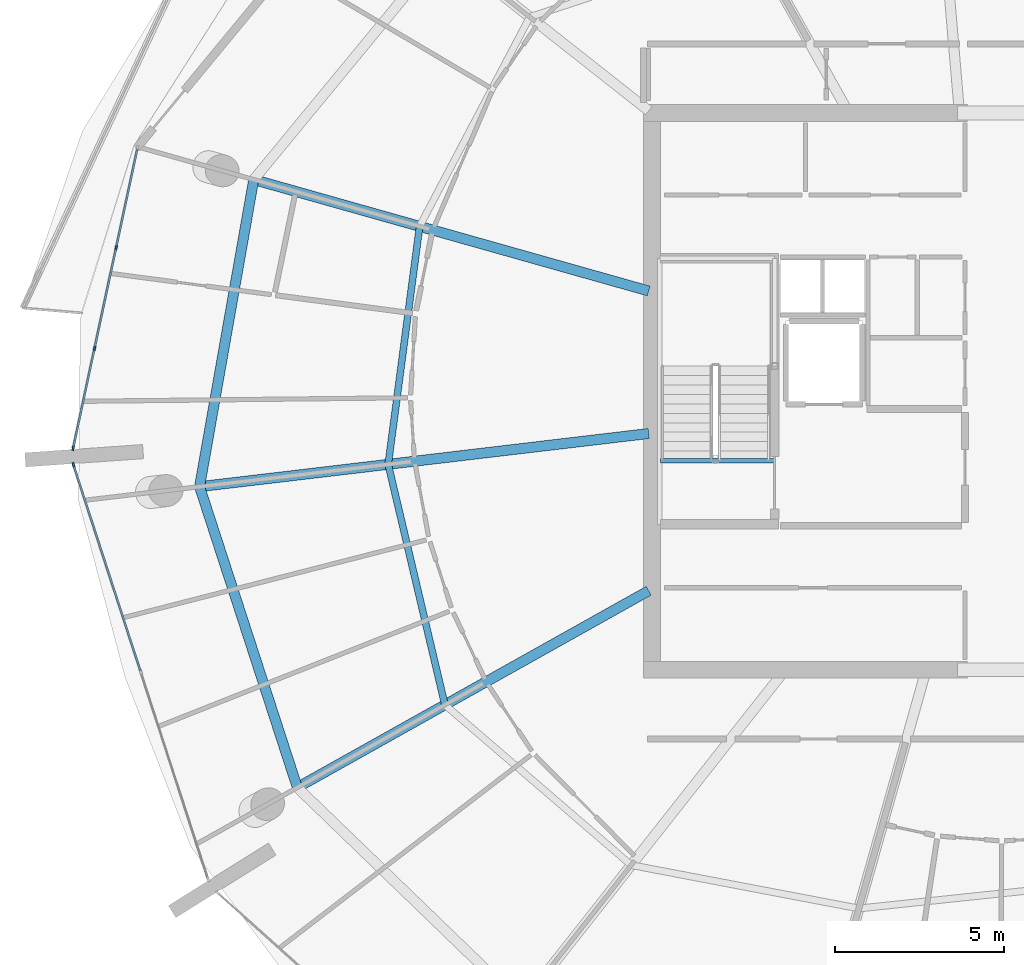
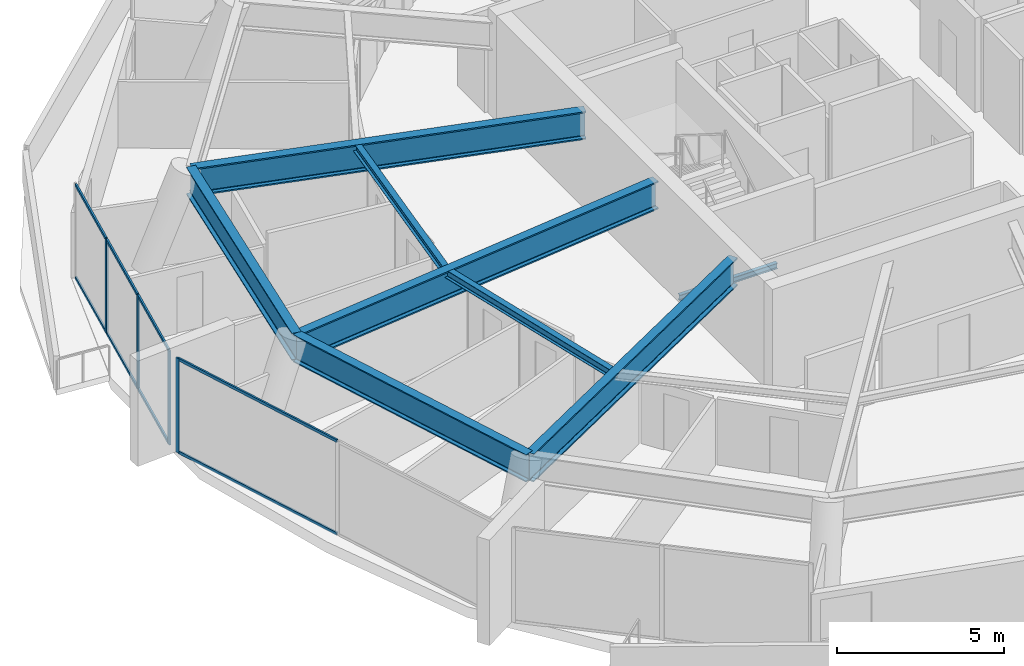
# One storey, part 6 of 24: 12 members, 8 beams, 2 elements without a shape of their own.
"""IFC4 building model written with IfcOpenShell, lengths in metres."""

from ifc_helpers import new_model, si_unit, direction, frame, origin, origin_2d, place, context, subcontext, project, spatial, rectangle, i_section, extrude, material, layer, layer_set, material_profile, profile_set, type_object, element, aggregate, save


model = new_model("IFC4")

# Units and contexts
model_context = context("Model", 3, precision=1e-05, world=origin(), true_north=direction((0.0, 1.0)))
body_context = subcontext(model_context, "Body", "Model", "MODEL_VIEW")
ifc_project = project(units=[si_unit("LENGTHUNIT", "METRE"), si_unit("AREAUNIT", "SQUARE_METRE"), si_unit("VOLUMEUNIT", "CUBIC_METRE"), si_unit("PLANEANGLEUNIT", "RADIAN"), si_unit("MASSUNIT", "GRAM", prefix="KILO")], contexts=[model_context])

# Site, building, storey
site_placement = place(None, origin())
site = spatial("IfcSite", under=ifc_project, at=site_placement, CompositionType="ELEMENT")
building_placement = place(site_placement, origin())
building = spatial("IfcBuilding", under=site, at=building_placement, Name="Kazma Halo Residences", CompositionType="ELEMENT")
storey_placement = place(building_placement, frame((0.0, 0.0, 309.85009765625)))
storey = spatial("IfcBuildingStorey", under=building, at=storey_placement, Name="L78", CompositionType="ELEMENT", Elevation=309.85009765625)

# Beams
ifc_material_1 = material(Name="Steel S355", Category="steel")
ifc_material_profile_1 = material_profile(ifc_material_1, i_section(OverallWidth=0.202880859375, OverallDepth=0.302978515625, WebThickness=0.007568359375, FlangeThickness=0.01318359375, FilletRadius=0.013916015625, at=origin_2d()), Name="W310x60")
ifc_profile_set_1 = profile_set([ifc_material_profile_1], Name="Steel S355")
beam_type_1 = type_object("IfcBeamType", Name="BM-SEC-W310A", PredefinedType="JOIST", material=ifc_profile_set_1)
beam_1_placement = place(storey_placement, frame((30.660888671875, 46.89013671875, 3.29833984375), z_axis=(-0.130861995554, -0.991400594169, 0.0), x_axis=(0.991400594169, -0.130861995554, 0.0)))
element("IfcBeam", 1, at=beam_1_placement, inside=storey, type_object=beam_type_1, Name="L78 circumferential floor joist 07", PredefinedType="JOIST", context=body_context, shape_type="SweptSolid", body=[
    extrude(i_section(OverallWidth=0.202880859375, OverallDepth=0.302978515625, WebThickness=0.007568359375, FlangeThickness=0.01318359375, FilletRadius=0.013916015625, at=origin_2d()), origin(), (0.0, 0.0, 1.0), 7.11376953125),
])
beam_2_placement = place(storey_placement, frame((29.72998046875, 39.837646484375, 3.29833984375), z_axis=(0.229446221817, -0.973321340203, 0.0), x_axis=(0.973321340203, 0.229446221817, 0.0)))
element("IfcBeam", 2, at=beam_2_placement, inside=storey, type_object=beam_type_1, Name="L78 circumferential floor joist 08", PredefinedType="JOIST", context=body_context, shape_type="SweptSolid", body=[
    extrude(i_section(OverallWidth=0.202880859375, OverallDepth=0.302978515625, WebThickness=0.007568359375, FlangeThickness=0.01318359375, FilletRadius=0.013916015625, at=origin_2d()), origin(), (0.0, 0.0, 1.0), 7.32373046875),
])
ifc_material_profile_2 = material_profile(ifc_material_1, i_section(OverallWidth=0.302001953125, OverallDepth=1.01806640625, WebThickness=0.021484375, FlangeThickness=0.049072265625, FilletRadius=0.028076171875, at=origin_2d()), Name="W1000x443")
ifc_profile_set_2 = profile_set([ifc_material_profile_2], Name="Steel S355")
beam_type_2 = type_object("IfcBeamType", Name="BM-TRANS-W1000A", PredefinedType="BEAM", material=ifc_profile_set_2)
beam_3_placement = place(storey_placement, frame((37.449951171875, 44.975341796875, 2.94091796875), z_axis=(-0.962456130612, 0.2714372794, 0.0), x_axis=(-0.2714372794, -0.962456130612, 0.0)))
element("IfcBeam", 3, at=beam_3_placement, inside=storey, type_object=beam_type_2, Name="L78 podium radial transfer girder 07", PredefinedType="BEAM", context=body_context, shape_type="SweptSolid", body=[
    extrude(i_section(OverallWidth=0.302001953125, OverallDepth=1.01806640625, WebThickness=0.021484375, FlangeThickness=0.049072265625, FilletRadius=0.028076171875, at=origin_2d()), origin(), (0.0, 0.0, 1.0), 12.162109375),
])
beam_4_placement = place(storey_placement, frame((37.449951171875, 40.751220703125, 2.94091796875), z_axis=(-0.993067923032, -0.11754190846, 0.0), x_axis=(0.11754190846, -0.993067923032, 0.0)))
element("IfcBeam", 4, at=beam_4_placement, inside=storey, type_object=beam_type_2, Name="L78 podium radial transfer girder 08", PredefinedType="BEAM", context=body_context, shape_type="SweptSolid", body=[
    extrude(i_section(OverallWidth=0.302001953125, OverallDepth=1.01806640625, WebThickness=0.021484375, FlangeThickness=0.049072265625, FilletRadius=0.028076171875, at=origin_2d()), origin(), (0.0, 0.0, 1.0), 13.4033203125),
])
beam_5_placement = place(storey_placement, frame((37.449951171875, 36.091796875, 2.94091796875), z_axis=(-0.872494504737, -0.4886239241, 0.0), x_axis=(0.4886239241, -0.872494504737, 0.0)))
element("IfcBeam", 5, at=beam_5_placement, inside=storey, type_object=beam_type_2, Name="L78 podium radial transfer girder 09", PredefinedType="BEAM", context=body_context, shape_type="SweptSolid", body=[
    extrude(i_section(OverallWidth=0.302001953125, OverallDepth=1.01806640625, WebThickness=0.021484375, FlangeThickness=0.049072265625, FilletRadius=0.028076171875, at=origin_2d()), origin(), (0.0, 0.0, 1.0), 11.93505859375),
])
ifc_material_profile_3 = material_profile(ifc_material_1, i_section(OverallWidth=0.300048828125, OverallDepth=1.0, WebThickness=0.01904296875, FlangeThickness=0.0400390625, FilletRadius=0.02587890625, at=origin_2d()), Name="W1000x371")
ifc_profile_set_3 = profile_set([ifc_material_profile_3], Name="Steel S355")
beam_type_3 = type_object("IfcBeamType", Name="BM-TRANS-W1000B", PredefinedType="BEAM", material=ifc_profile_set_3)
beam_6_placement = place(storey_placement, frame((25.744384765625, 48.276611328125, 2.949951171875), z_axis=(-0.173649692956, -0.984807485825, 0.0), x_axis=(0.984807485825, -0.173649692956, 0.0)))
element("IfcBeam", 6, at=beam_6_placement, inside=storey, type_object=beam_type_3, Name="L78 perimeter ring beam 07", PredefinedType="BEAM", context=body_context, shape_type="SweptSolid", body=[
    extrude(i_section(OverallWidth=0.300048828125, OverallDepth=1.0, WebThickness=0.01904296875, FlangeThickness=0.0400390625, FilletRadius=0.02587890625, at=origin_2d()), origin(), (0.0, 0.0, 1.0), 9.2412109375),
])
beam_7_placement = place(storey_placement, frame((24.1396484375, 39.17578125, 2.949951171875), z_axis=(0.309023062674, -0.951054544564, 0.0), x_axis=(0.951054544564, 0.309023062674, 0.0)))
element("IfcBeam", 7, at=beam_7_placement, inside=storey, type_object=beam_type_3, Name="L78 perimeter ring beam 08", PredefinedType="BEAM", context=body_context, shape_type="SweptSolid", body=[
    extrude(i_section(OverallWidth=0.300048828125, OverallDepth=1.0, WebThickness=0.01904296875, FlangeThickness=0.0400390625, FilletRadius=0.02587890625, at=origin_2d()), origin(), (0.0, 0.0, 1.0), 9.37451171875),
])
ifc_material_profile_4 = material_profile(ifc_material_1, i_section(OverallWidth=0.133056640625, OverallDepth=0.20703125, WebThickness=0.005859375, FlangeThickness=0.00830078125, FilletRadius=0.010009765625, at=origin_2d()), Name="W200x26.6")
ifc_profile_set_4 = profile_set([ifc_material_profile_4], Name="Steel S355")
beam_type_4 = type_object("IfcBeamType", Name="BM-TRIM-W200", PredefinedType="BEAM", material=ifc_profile_set_4)
beam_8_placement = place(storey_placement, frame((37.800048828125, 39.949951171875, -0.510009765625), z_axis=(1.0, 0.0, 0.0), x_axis=(0.0, 1.0, 0.0)))
element("IfcBeam", 8, at=beam_8_placement, inside=storey, type_object=beam_type_4, Name="L78 ST-01 floor landing support beam", PredefinedType="BEAM", context=body_context, shape_type="SweptSolid", body=[
    extrude(i_section(OverallWidth=0.133056640625, OverallDepth=0.20703125, WebThickness=0.005859375, FlangeThickness=0.00830078125, FilletRadius=0.010009765625, at=origin_2d()), origin(), (0.0, 0.0, 1.0), 3.3798828125),
])

# Curtain wall, members
ifc_material_2 = material(Name="Aluminium AW-6063 T6 and Triple-Silver Low-E Glass", Category="aluminium")
ifc_layer = layer(ifc_material_2, 0.139892578125)
ifc_layer_set = layer_set([ifc_layer], Name="Aluminium AW-6063 T6 and Triple-Silver Low-E Glass")
curtain_wall_type = type_object("IfcCurtainWallType", Name="CW-SYS-5", PredefinedType="NOTDEFINED", material=ifc_layer_set)
curtain_wall_1_placement = place(storey_placement, origin())
curtain_wall_1 = element("IfcCurtainWall", 9, at=curtain_wall_1_placement, inside=storey, type_object=curtain_wall_type, Name="L78 unitised curtain wall B07", PredefinedType="NOTDEFINED")
ifc_material_3 = material(Name="Aluminium AW-6063 T6", Category="aluminium")
ifc_material_profile_5 = material_profile(ifc_material_3, rectangle(XDim=0.06005859375, YDim=0.139892578125, at=origin_2d()), Name="CWM-60x140")
ifc_profile_set_5 = profile_set([ifc_material_profile_5], Name="Aluminium AW-6063 T6")
member_type_1 = type_object("IfcMemberType", Name="CW-SYS-5-MUL", PredefinedType="MULLION", material=ifc_profile_set_5)
member_1_placement = place(storey_placement, frame((21.6689453125, 46.25927734375, 0.0), z_axis=(0.0, 0.0, 1.0), x_axis=(0.977766142348, -0.209698285347, 0.0)))
member_1 = element("IfcMember", 10, at=member_1_placement, type_object=member_type_1, Name="CWS-5 mullion 2", PredefinedType="MULLION", context=body_context, shape_type="SweptSolid", body=[
    extrude(rectangle(XDim=0.06005859375, YDim=0.139892578125, at=origin_2d()), origin(), (0.0, 0.0, 1.0), 3.449951171875),
])
member_2_placement = place(storey_placement, frame((21.028564453125, 43.273193359375, 0.0), z_axis=(0.0, 0.0, 1.0), x_axis=(0.977766142348, -0.209698285347, 0.0)))
member_2 = element("IfcMember", 11, at=member_2_placement, type_object=member_type_1, Name="CWS-5 mullion 3", PredefinedType="MULLION", context=body_context, shape_type="SweptSolid", body=[
    extrude(rectangle(XDim=0.06005859375, YDim=0.139892578125, at=origin_2d()), origin(), (0.0, 0.0, 1.0), 3.449951171875),
])
member_3_placement = place(storey_placement, frame((20.394287109375, 40.31640625, 0.0), z_axis=(0.0, 0.0, 1.0), x_axis=(0.977766142348, -0.209698285347, 0.0)))
member_3 = element("IfcMember", 12, at=member_3_placement, type_object=member_type_1, Name="CWS-5 mullion 4", PredefinedType="MULLION", context=body_context, shape_type="SweptSolid", body=[
    extrude(rectangle(XDim=0.06005859375, YDim=0.139892578125, at=origin_2d()), origin(), (0.0, 0.0, 1.0), 3.449951171875),
])

# Curtain wall, member
curtain_wall_2_placement = place(storey_placement, origin())
curtain_wall_2 = element("IfcCurtainWall", 13, at=curtain_wall_2_placement, inside=storey, type_object=curtain_wall_type, Name="L78 unitised curtain wall B08", PredefinedType="NOTDEFINED")
member_4_placement = place(storey_placement, frame((20.404541015625, 39.8232421875, 0.0), z_axis=(0.0, 0.0, 1.0), x_axis=(0.951056835679, 0.309016011411, 0.0)))
member_4 = element("IfcMember", 14, at=member_4_placement, type_object=member_type_1, Name="CWS-5 mullion 1", PredefinedType="MULLION", context=body_context, shape_type="SweptSolid", body=[
    extrude(rectangle(XDim=0.06005859375, YDim=0.139892578125, at=origin_2d()), origin(), (0.0, 0.0, 1.0), 3.449951171875),
])

# Member
ifc_material_profile_6 = material_profile(ifc_material_3, rectangle(XDim=0.06005859375, YDim=0.10498046875, at=origin_2d()), Name="CWT-60x105")
ifc_profile_set_6 = profile_set([ifc_material_profile_6], Name="Aluminium AW-6063 T6")
member_type_2 = type_object("IfcMemberType", Name="CW-SYS-5-TRN", PredefinedType="USERDEFINED", material=ifc_profile_set_6)
member_5_placement = place(storey_placement, frame((22.296875, 49.186767578125, 0.02978515625), z_axis=(-0.209703459935, -0.977765032557, 0.0), x_axis=(0.977765032557, -0.209703459935, 0.0)))
member_5 = element("IfcMember", 15, at=member_5_placement, type_object=member_type_2, Name="CWS-5 transom 1.1", ObjectType="TRANSOM", PredefinedType="USERDEFINED", context=body_context, shape_type="SweptSolid", body=[
    extrude(rectangle(XDim=0.06005859375, YDim=0.10498046875, at=origin_2d()), origin(), (0.0, 0.0, 1.0), 2.964111328125),
])

member_6_placement = place(storey_placement, frame((22.296875, 49.186767578125, 3.419921875), z_axis=(-0.209703459935, -0.977765032557, 0.0), x_axis=(0.977765032557, -0.209703459935, 0.0)))
member_6 = element("IfcMember", 16, at=member_6_placement, type_object=member_type_2, Name="CWS-5 transom 1.2", ObjectType="TRANSOM", PredefinedType="USERDEFINED", context=body_context, shape_type="SweptSolid", body=[
    extrude(rectangle(XDim=0.06005859375, YDim=0.10498046875, at=origin_2d()), origin(), (0.0, 0.0, 1.0), 2.964111328125),
])

member_7_placement = place(storey_placement, frame((21.66259765625, 46.22998046875, 0.02978515625), z_axis=(-0.209646031258, -0.97777734765, 0.0), x_axis=(0.97777734765, -0.209646031258, 0.0)))
member_7 = element("IfcMember", 17, at=member_7_placement, type_object=member_type_2, Name="CWS-5 transom 2.1", ObjectType="TRANSOM", PredefinedType="USERDEFINED", context=body_context, shape_type="SweptSolid", body=[
    extrude(rectangle(XDim=0.06005859375, YDim=0.10498046875, at=origin_2d()), origin(), (0.0, 0.0, 1.0), 2.994140625),
])

member_8_placement = place(storey_placement, frame((21.66259765625, 46.22998046875, 3.419921875), z_axis=(-0.209646031258, -0.97777734765, 0.0), x_axis=(0.97777734765, -0.209646031258, 0.0)))
member_8 = element("IfcMember", 18, at=member_8_placement, type_object=member_type_2, Name="CWS-5 transom 2.2", ObjectType="TRANSOM", PredefinedType="USERDEFINED", context=body_context, shape_type="SweptSolid", body=[
    extrude(rectangle(XDim=0.06005859375, YDim=0.10498046875, at=origin_2d()), origin(), (0.0, 0.0, 1.0), 2.994140625),
])

member_9_placement = place(storey_placement, frame((21.022216796875, 43.243896484375, 0.02978515625), z_axis=(-0.209703459935, -0.977765032557, 0.0), x_axis=(0.977765032557, -0.209703459935, 0.0)))
member_9 = element("IfcMember", 19, at=member_9_placement, type_object=member_type_2, Name="CWS-5 transom 3.1", ObjectType="TRANSOM", PredefinedType="USERDEFINED", context=body_context, shape_type="SweptSolid", body=[
    extrude(rectangle(XDim=0.06005859375, YDim=0.10498046875, at=origin_2d()), origin(), (0.0, 0.0, 1.0), 2.964111328125),
])

member_10_placement = place(storey_placement, frame((21.022216796875, 43.243896484375, 3.419921875), z_axis=(-0.209703459935, -0.977765032557, 0.0), x_axis=(0.977765032557, -0.209703459935, 0.0)))
member_10 = element("IfcMember", 20, at=member_10_placement, type_object=member_type_2, Name="CWS-5 transom 3.2", ObjectType="TRANSOM", PredefinedType="USERDEFINED", context=body_context, shape_type="SweptSolid", body=[
    extrude(rectangle(XDim=0.06005859375, YDim=0.10498046875, at=origin_2d()), origin(), (0.0, 0.0, 1.0), 2.964111328125),
])

aggregate(curtain_wall_1, [member_1, member_2, member_3, member_5, member_6, member_7, member_8, member_9, member_10])

member_11_placement = place(storey_placement, frame((20.413818359375, 39.794677734375, 0.02978515625), z_axis=(0.309005818912, -0.951060147351, 0.0), x_axis=(0.951060147351, 0.309005818912, 0.0)))
member_11 = element("IfcMember", 21, at=member_11_placement, type_object=member_type_2, Name="CWS-5 transom 1.1", ObjectType="TRANSOM", PredefinedType="USERDEFINED", context=body_context, shape_type="SweptSolid", body=[
    extrude(rectangle(XDim=0.06005859375, YDim=0.10498046875, at=origin_2d()), origin(), (0.0, 0.0, 1.0), 6.397216796875),
])

member_12_placement = place(storey_placement, frame((20.413818359375, 39.794677734375, 3.419921875), z_axis=(0.309005818912, -0.951060147351, 0.0), x_axis=(0.951060147351, 0.309005818912, 0.0)))
member_12 = element("IfcMember", 22, at=member_12_placement, type_object=member_type_2, Name="CWS-5 transom 1.2", ObjectType="TRANSOM", PredefinedType="USERDEFINED", context=body_context, shape_type="SweptSolid", body=[
    extrude(rectangle(XDim=0.06005859375, YDim=0.10498046875, at=origin_2d()), origin(), (0.0, 0.0, 1.0), 6.397216796875),
])

aggregate(curtain_wall_2, [member_4, member_11, member_12])

save(model, "model.ifc")
